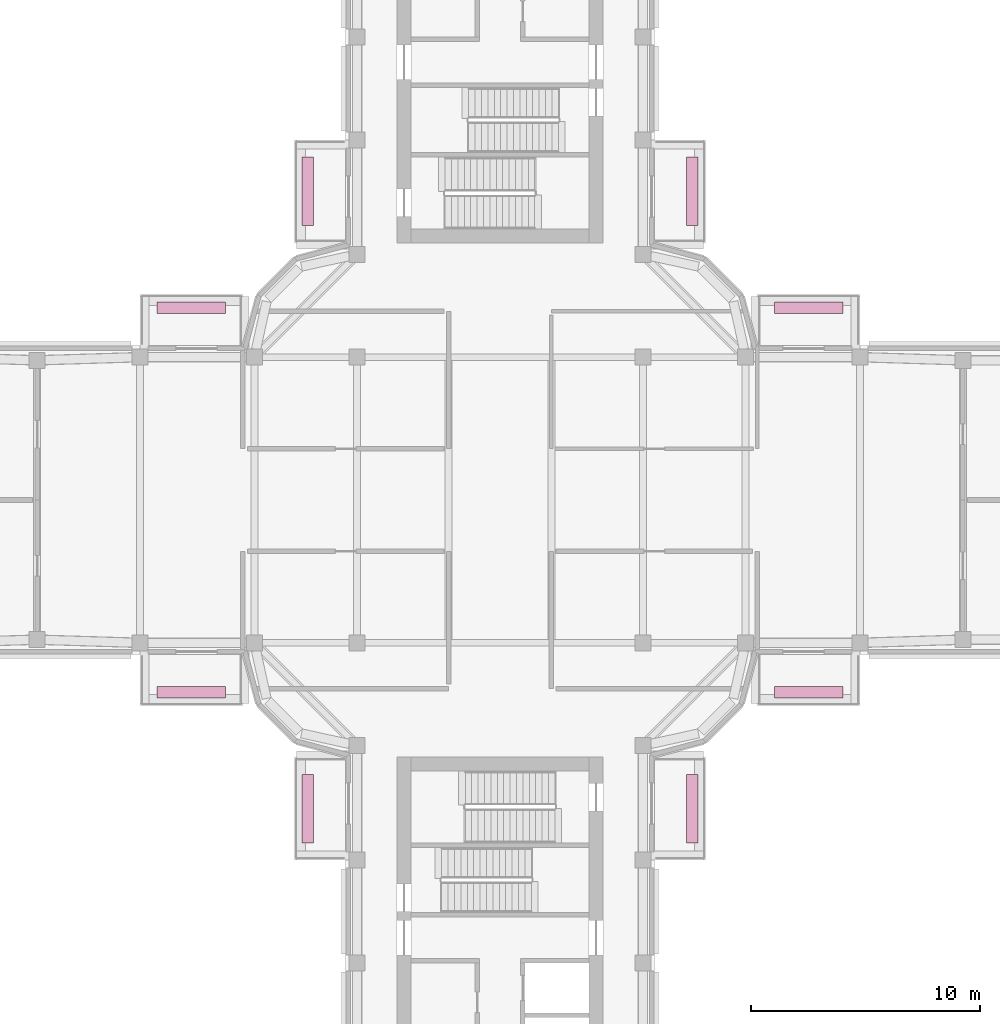
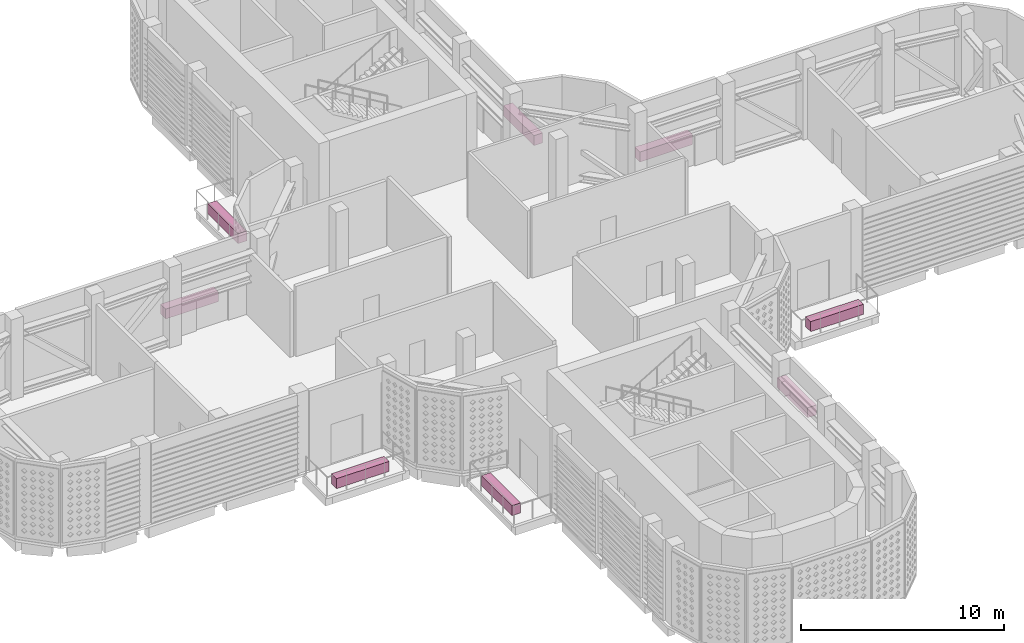
# One storey, part 20 of 20: 8 furniture elements.
"""IFC4 building model written with IfcOpenShell, lengths in metres."""

from ifc_helpers import new_model, si_unit, direction, frame, origin, origin_2d, place, context, subcontext, project, spatial, rectangle, extrude, material, type_object, element, save


model = new_model("IFC4")

# Units and contexts
model_context = context("Model", 3, precision=1e-05, world=origin(), true_north=direction((0.0, 1.0)))
body_context = subcontext(model_context, "Body", "Model", "MODEL_VIEW")
ifc_project = project(units=[si_unit("LENGTHUNIT", "METRE"), si_unit("AREAUNIT", "SQUARE_METRE"), si_unit("VOLUMEUNIT", "CUBIC_METRE"), si_unit("PLANEANGLEUNIT", "RADIAN"), si_unit("MASSUNIT", "GRAM", prefix="KILO")], contexts=[model_context])

# Site, building, storey
site_placement = place(None, origin())
site = spatial("IfcSite", under=ifc_project, at=site_placement, CompositionType="ELEMENT")
building_placement = place(site_placement, origin())
building = spatial("IfcBuilding", under=site, at=building_placement, Name="Zarbagh Exchange Tower", CompositionType="ELEMENT")
storey_placement = place(building_placement, frame((0.0, 0.0, 244.800048828125)))
storey = spatial("IfcBuildingStorey", under=building, at=storey_placement, Name="L60", CompositionType="ELEMENT", Elevation=244.800048828125)

# Furniture
ifc_material = material(Name="Concrete C40/50", Category="concrete")
furniture_type = type_object("IfcFurnitureType", Name="PLANTER planting bed, concrete trough", AssemblyPlace="NOTDEFINED", PredefinedType="USERDEFINED", material=ifc_material)
for number, where, z_axis, x_axis, name in (
    (1, (8.419921875, 13.5, 0.0), (0.0, 0.0, 1.0), (0.0, -1.0, 0.0), "planter"),
    (2, (13.5, 8.419921875, 0.0), (0.0, 0.0, 1.0), (1.0, 0.0, 0.0), "planter"),
    (3, (8.419921875, -13.5, 0.0), (0.0, 0.0, 1.0), (0.0, -1.0, 0.0), "planter"),
    (4, (13.5, -8.419921875, 0.0), (0.0, 0.0, 1.0), (-1.0, 0.0, 0.0), "planter"),
    (5, (-8.419921875, 13.5, 0.0), (0.0, 0.0, 1.0), (0.0, 1.0, 0.0), "planter"),
    (6, (-13.5, 8.419921875, 0.0), (0.0, 0.0, 1.0), (1.0, 0.0, 0.0), "planter"),
    (7, (-8.419921875, -13.5, 0.0), (0.0, 0.0, 1.0), (0.0, 1.0, 0.0), "planter"),
    (8, (-13.5, -8.419921875, 0.0), (0.0, 0.0, 1.0), (-1.0, 0.0, 0.0), "planter"),
):
    element("IfcFurniture", number, at=place(storey_placement, frame(where, z_axis=z_axis, x_axis=x_axis)), inside=storey, type_object=furniture_type, Name=name, ObjectType="PLANTER", PredefinedType="USERDEFINED", context=body_context, shape_type="SweptSolid", body=[
        extrude(rectangle(XDim=3.0, YDim=0.5, at=origin_2d()), origin(), (0.0, 0.0, 1.0), 0.60009765625),
    ])

save(model, "model.ifc")
